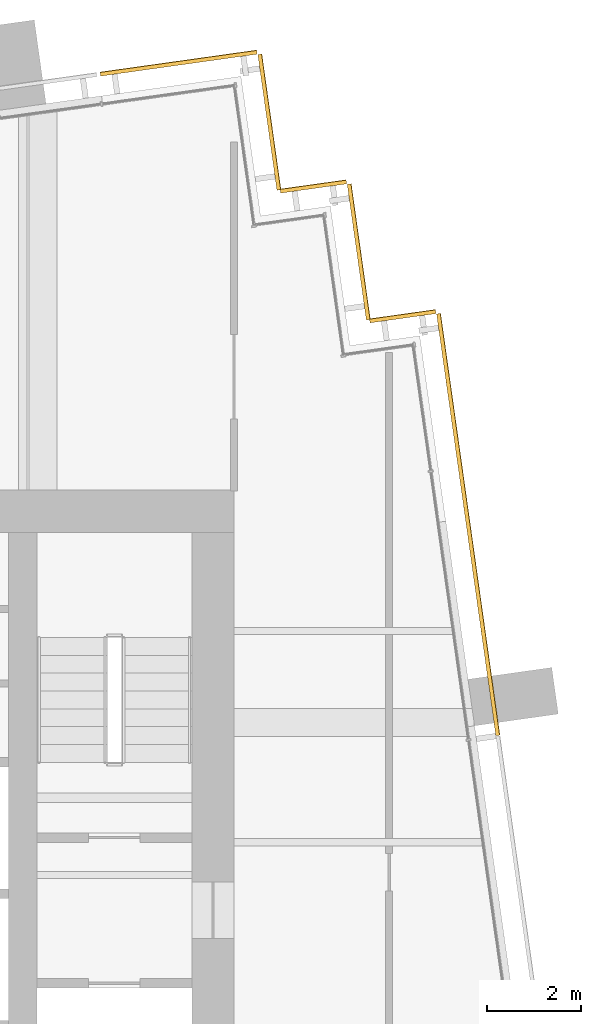
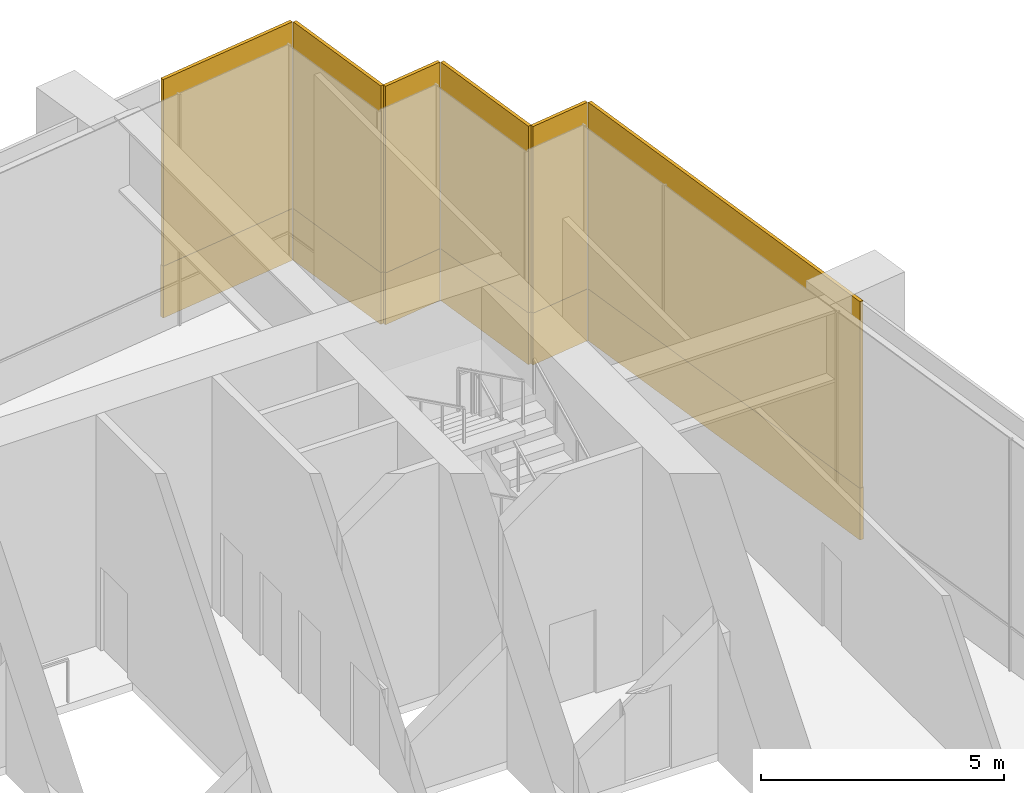
# One storey, part 25 of 25: 12 coverings.
"""IFC4 building model written with IfcOpenShell, lengths in metres."""

from ifc_helpers import new_model, si_unit, direction, frame, origin, origin_2d, place, context, subcontext, project, spatial, rectangle, extrude, material, layer, layer_set, type_object, element, save


model = new_model("IFC4")

# Units and contexts
model_context = context("Model", 3, precision=1e-05, world=origin(), true_north=direction((0.0, 1.0)))
body_context = subcontext(model_context, "Body", "Model", "MODEL_VIEW")
ifc_project = project(units=[si_unit("LENGTHUNIT", "METRE"), si_unit("AREAUNIT", "SQUARE_METRE"), si_unit("VOLUMEUNIT", "CUBIC_METRE"), si_unit("PLANEANGLEUNIT", "RADIAN"), si_unit("MASSUNIT", "GRAM", prefix="KILO")], contexts=[model_context])

# Site, building, storey
site_placement = place(None, origin())
site = spatial("IfcSite", under=ifc_project, at=site_placement, CompositionType="ELEMENT")
building_placement = place(site_placement, origin())
building = spatial("IfcBuilding", under=site, at=building_placement, Name="Rattan Terrace Tower", CompositionType="ELEMENT")
storey_placement = place(building_placement, frame((0.0, 0.0, 286.300048828125)))
storey = spatial("IfcBuildingStorey", under=building, at=storey_placement, Name="L66", CompositionType="ELEMENT", Elevation=286.300048828125)

# Coverings
ifc_material_1 = material(Name="Solid terracotta", Category="masonry")
ifc_layer_1 = layer(ifc_material_1, 0.090087890625)
ifc_layer_set_1 = layer_set([ifc_layer_1], Name="Facade Terracotta Band Panel HZ")
covering_type_1 = type_object("IfcCoveringType", Name="Facade Terracotta Band Panel HZ", PredefinedType="CLADDING", material=ifc_layer_set_1)
covering_1_placement = place(storey_placement, frame((22.986328125, 6.764892578125, -0.18994140625), z_axis=(0.0, 0.0, 1.0), x_axis=(-0.139191775431, 0.990265444036, 0.0)))
element("IfcCovering", 1, at=covering_1_placement, inside=storey, type_object=covering_type_1, Name="OUTER SKIN panel L66-8A", PredefinedType="CLADDING", context=body_context, shape_type="SweptSolid", body=[
    extrude(rectangle(XDim=9.066162109375, YDim=0.090087890625, at=origin_2d()), origin(), (0.0, 0.0, 1.0), 1.300048828125),
])
covering_2_placement = place(storey_placement, frame((21.59033203125, 11.20166015625, -0.18994140625), z_axis=(0.0, 0.0, 1.0), x_axis=(-0.990240767803, -0.139367219175, 0.0)))
element("IfcCovering", 2, at=covering_2_placement, inside=storey, type_object=covering_type_1, Name="OUTER SKIN panel L66-9A", PredefinedType="CLADDING", context=body_context, shape_type="SweptSolid", body=[
    extrude(rectangle(XDim=1.419677734375, YDim=0.090087890625, at=origin_2d()), origin(), (0.0, 0.0, 1.0), 1.300048828125),
])
covering_3_placement = place(storey_placement, frame((20.65576171875, 12.56982421875, -0.18994140625), z_axis=(0.0, 0.0, 1.0), x_axis=(-0.139321220646, 0.990247240581, 0.0)))
element("IfcCovering", 3, at=covering_3_placement, inside=storey, type_object=covering_type_1, Name="OUTER SKIN panel L66-10A", PredefinedType="CLADDING", context=body_context, shape_type="SweptSolid", body=[
    extrude(rectangle(XDim=2.919921875, YDim=0.090087890625, at=origin_2d()), origin(), (0.0, 0.0, 1.0), 1.300048828125),
])
covering_4_placement = place(storey_placement, frame((19.687255859375, 13.9638671875, -0.18994140625), z_axis=(0.0, 0.0, 1.0), x_axis=(-0.990332587523, -0.138713251317, 0.0)))
element("IfcCovering", 4, at=covering_4_placement, inside=storey, type_object=covering_type_1, Name="OUTER SKIN panel L66-11A", PredefinedType="CLADDING", context=body_context, shape_type="SweptSolid", body=[
    extrude(rectangle(XDim=1.41943359375, YDim=0.090087890625, at=origin_2d()), origin(), (0.0, 0.0, 1.0), 1.300048828125),
])
covering_5_placement = place(storey_placement, frame((18.752685546875, 15.332275390625, -0.18994140625), z_axis=(0.0, 0.0, 1.0), x_axis=(-0.139367219175, 0.990240767803, 0.0)))
element("IfcCovering", 5, at=covering_5_placement, inside=storey, type_object=covering_type_1, Name="OUTER SKIN panel L66-12A", PredefinedType="CLADDING", context=body_context, shape_type="SweptSolid", body=[
    extrude(rectangle(XDim=2.91943359375, YDim=0.090087890625, at=origin_2d()), origin(), (0.0, 0.0, 1.0), 1.300048828125),
])
covering_6_placement = place(storey_placement, frame((16.819091796875, 16.59033203125, -0.18994140625), z_axis=(0.0, 0.0, 1.0), x_axis=(-0.990286729519, -0.139040257974, 0.0)))
element("IfcCovering", 6, at=covering_6_placement, inside=storey, type_object=covering_type_1, Name="OUTER SKIN panel L66-13A", PredefinedType="CLADDING", context=body_context, shape_type="SweptSolid", body=[
    extrude(rectangle(XDim=3.368896484375, YDim=0.090087890625, at=origin_2d()), origin(), (0.0, 0.0, 1.0), 1.300048828125),
])
ifc_material_2 = material(Name="Perforated terracotta", Category="masonry")
ifc_layer_2 = layer(ifc_material_2, 0.080078125)
ifc_layer_set_2 = layer_set([ifc_layer_2], Name="Facade Terracotta Screen Panel HZ")
covering_type_2 = type_object("IfcCoveringType", Name="Facade Terracotta Screen Panel HZ", PredefinedType="CLADDING", material=ifc_layer_set_2)
covering_7_placement = place(storey_placement, frame((22.9814453125, 6.76416015625, 1.10986328125), z_axis=(0.0, 0.0, 1.0), x_axis=(-0.139191775431, 0.990265444036, 0.0)))
element("IfcCovering", 7, at=covering_7_placement, inside=storey, type_object=covering_type_2, Name="OUTER SKIN panel L66-8B", PredefinedType="CLADDING", context=body_context, shape_type="SweptSolid", body=[
    extrude(rectangle(XDim=9.066162109375, YDim=0.080078125, at=origin_2d()), origin(), (0.0, 0.0, 1.0), 4.679931640625),
])
covering_8_placement = place(storey_placement, frame((21.591064453125, 11.19677734375, 1.10986328125), z_axis=(0.0, 0.0, 1.0), x_axis=(-0.990240767803, -0.139367219175, 0.0)))
element("IfcCovering", 8, at=covering_8_placement, inside=storey, type_object=covering_type_2, Name="OUTER SKIN panel L66-9B", PredefinedType="CLADDING", context=body_context, shape_type="SweptSolid", body=[
    extrude(rectangle(XDim=1.419677734375, YDim=0.080078125, at=origin_2d()), origin(), (0.0, 0.0, 1.0), 4.679931640625),
])
covering_9_placement = place(storey_placement, frame((20.65087890625, 12.569091796875, 1.10986328125), z_axis=(0.0, 0.0, 1.0), x_axis=(-0.139321220646, 0.990247240581, 0.0)))
element("IfcCovering", 9, at=covering_9_placement, inside=storey, type_object=covering_type_2, Name="OUTER SKIN panel L66-10B", PredefinedType="CLADDING", context=body_context, shape_type="SweptSolid", body=[
    extrude(rectangle(XDim=2.919921875, YDim=0.080078125, at=origin_2d()), origin(), (0.0, 0.0, 1.0), 4.679931640625),
])
covering_10_placement = place(storey_placement, frame((19.68798828125, 13.958984375, 1.10986328125), z_axis=(0.0, 0.0, 1.0), x_axis=(-0.990332587523, -0.138713251317, 0.0)))
element("IfcCovering", 10, at=covering_10_placement, inside=storey, type_object=covering_type_2, Name="OUTER SKIN panel L66-11B", PredefinedType="CLADDING", context=body_context, shape_type="SweptSolid", body=[
    extrude(rectangle(XDim=1.41943359375, YDim=0.080078125, at=origin_2d()), origin(), (0.0, 0.0, 1.0), 4.679931640625),
])
covering_11_placement = place(storey_placement, frame((18.747802734375, 15.33154296875, 1.10986328125), z_axis=(0.0, 0.0, 1.0), x_axis=(-0.139367219175, 0.990240767803, 0.0)))
element("IfcCovering", 11, at=covering_11_placement, inside=storey, type_object=covering_type_2, Name="OUTER SKIN panel L66-12B", PredefinedType="CLADDING", context=body_context, shape_type="SweptSolid", body=[
    extrude(rectangle(XDim=2.91943359375, YDim=0.080078125, at=origin_2d()), origin(), (0.0, 0.0, 1.0), 4.679931640625),
])
covering_12_placement = place(storey_placement, frame((16.81982421875, 16.585205078125, 1.10986328125), z_axis=(0.0, 0.0, 1.0), x_axis=(-0.990286729519, -0.139040257974, 0.0)))
element("IfcCovering", 12, at=covering_12_placement, inside=storey, type_object=covering_type_2, Name="OUTER SKIN panel L66-13B", PredefinedType="CLADDING", context=body_context, shape_type="SweptSolid", body=[
    extrude(rectangle(XDim=3.368896484375, YDim=0.080078125, at=origin_2d()), origin(), (0.0, 0.0, 1.0), 4.679931640625),
])

save(model, "model.ifc")
